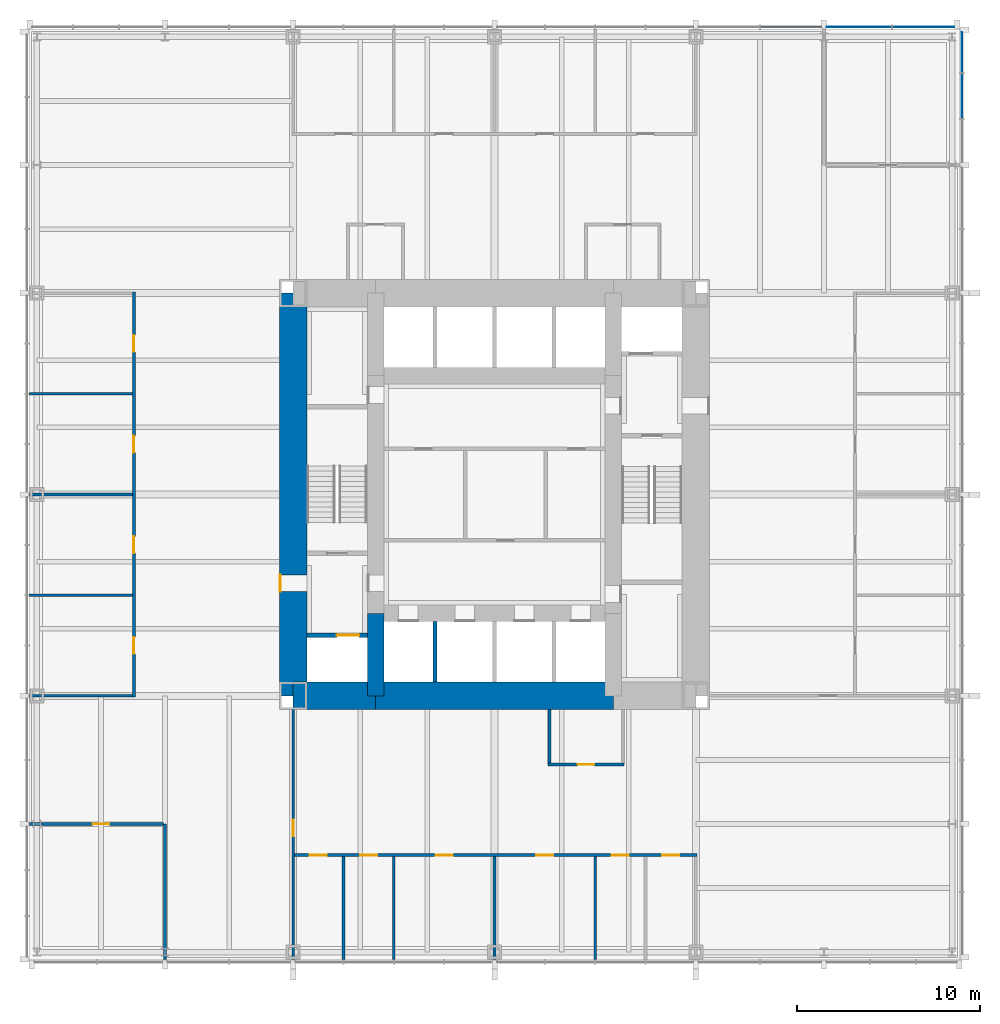
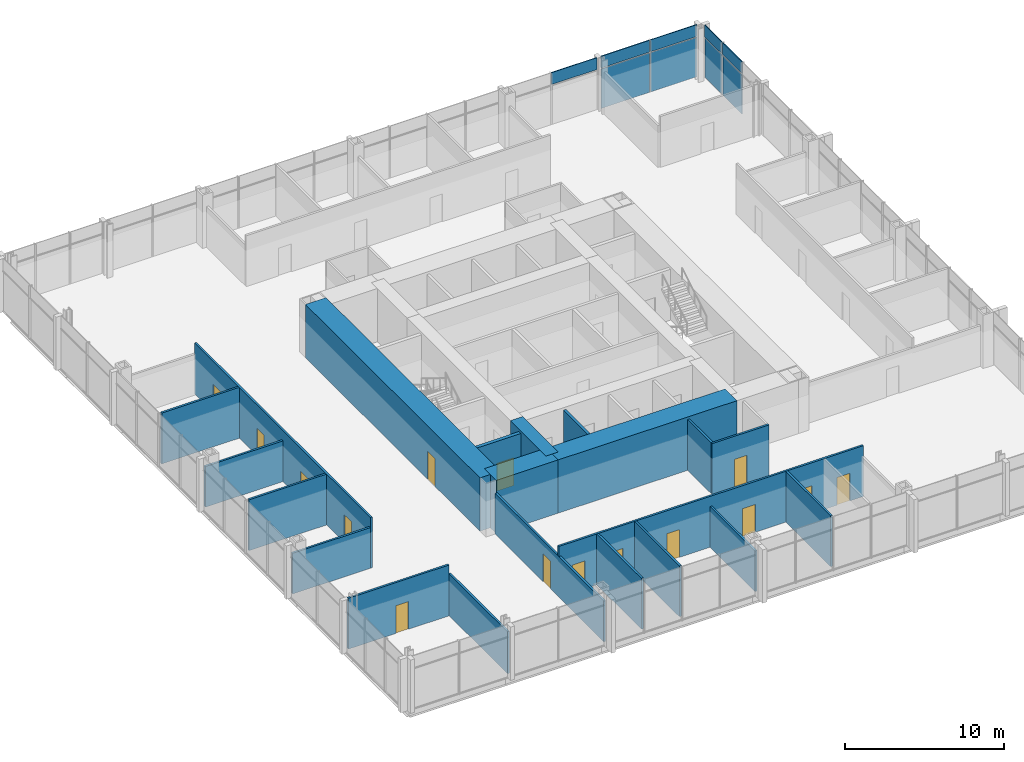
# One storey, part 9 of 12: 21 walls, 15 doors, 9 plates, 15 openings, 2 elements without a shape of their own.
"""IFC4 building model written with IfcOpenShell, lengths in metres."""

from ifc_helpers import new_model, si_unit, direction, frame, frame_2d, origin, origin_2d, place, context, subcontext, project, spatial, rectangle, extrude, material, layer, layer_set, type_object, element, fill, aggregate, save


model = new_model("IFC4")

# Units and contexts
model_context = context("Model", 3, precision=1e-05, world=origin(), true_north=direction((0.0, 1.0)))
body_context = subcontext(model_context, "Body", "Model", "MODEL_VIEW")
ifc_project = project(units=[si_unit("LENGTHUNIT", "METRE"), si_unit("AREAUNIT", "SQUARE_METRE"), si_unit("VOLUMEUNIT", "CUBIC_METRE"), si_unit("PLANEANGLEUNIT", "RADIAN"), si_unit("MASSUNIT", "GRAM", prefix="KILO")], contexts=[model_context])

# Site, building, storey
site_placement = place(None, origin())
site = spatial("IfcSite", under=ifc_project, at=site_placement, CompositionType="ELEMENT")
building_placement = place(site_placement, origin())
building = spatial("IfcBuilding", under=site, at=building_placement, Name="Trevanion Tower", CompositionType="ELEMENT")
storey_placement = place(building_placement, frame((0.0, 0.0, 69.300048828125)))
storey = spatial("IfcBuildingStorey", under=building, at=storey_placement, Name="L16", CompositionType="ELEMENT", Elevation=69.300048828125)

# Curtain wall, plates
ifc_material_1 = material(Name="Aluminium and glass", Category="aluminium")
curtain_wall_type = type_object("IfcCurtainWallType", Name="CW1 curtain wall", PredefinedType="USERDEFINED", material=ifc_material_1)
curtain_wall_1_placement = place(storey_placement, origin())
curtain_wall_1 = element("IfcCurtainWall", 1, at=curtain_wall_1_placement, inside=storey, type_object=curtain_wall_type, Name="CW1 L16 0", ObjectType="UNITISED CURTAIN WALL", PredefinedType="USERDEFINED")
ifc_material_2 = material(Name="Aluminium spandrel panel", Category="aluminium")
ifc_layer_1 = layer(ifc_material_2, 0.06005859375)
ifc_layer_set_1 = layer_set([ifc_layer_1], Name="CW1 spandrel panel")
plate_type_1 = type_object("IfcPlateType", Name="CW1 spandrel panel", PredefinedType="CURTAIN_PANEL", material=ifc_layer_set_1)
plate_1_placement = place(storey_placement, frame((25.550048828125, 21.77490234375, 2.997314453125), z_axis=(0.0, 0.0, 1.0), x_axis=(0.0, 1.0, 0.0)))
plate_1 = element("IfcPlate", 2, at=plate_1_placement, type_object=plate_type_1, Name="CW1 panel 16.2", PredefinedType="CURTAIN_PANEL", context=body_context, shape_type="SweptSolid", body=[
    extrude(rectangle(XDim=2.441650390625, YDim=0.06005859375, at=origin_2d()), origin(), (0.0, 0.0, 1.0), 0.91259765625),
])
plate_2_placement = place(storey_placement, frame((25.550048828125, 24.160400390625, 2.997314453125), z_axis=(0.0, 0.0, 1.0), x_axis=(0.0, 1.0, 0.0)))
plate_2 = element("IfcPlate", 3, at=plate_2_placement, type_object=plate_type_1, Name="CW1 panel 17.2", PredefinedType="CURTAIN_PANEL", context=body_context, shape_type="SweptSolid", body=[
    extrude(rectangle(XDim=2.17919921875, YDim=0.06005859375, at=origin_2d()), origin(), (0.0, 0.0, 1.0), 0.91259765625),
])

curtain_wall_2_placement = place(storey_placement, origin())
curtain_wall_2 = element("IfcCurtainWall", 4, at=curtain_wall_2_placement, inside=storey, type_object=curtain_wall_type, Name="CW1 L16 1", ObjectType="UNITISED CURTAIN WALL", PredefinedType="USERDEFINED")
plate_3_placement = place(storey_placement, frame((23.433837890625, 25.550048828125, 2.997314453125), z_axis=(0.0, 0.0, 1.0), x_axis=(-1.0, 0.0, 0.0)))
plate_3 = element("IfcPlate", 5, at=plate_3_placement, type_object=plate_type_1, Name="CW1 panel 1.2", PredefinedType="CURTAIN_PANEL", context=body_context, shape_type="SweptSolid", body=[
    extrude(rectangle(XDim=3.37255859375, YDim=0.06005859375, at=origin_2d()), origin(), (0.0, 0.0, 1.0), 0.91259765625),
])
plate_4_placement = place(storey_placement, frame((19.911376953125, 25.550048828125, 2.997314453125), z_axis=(0.0, 0.0, 1.0), x_axis=(-1.0, 0.0, 0.0)))
plate_4 = element("IfcPlate", 6, at=plate_4_placement, type_object=plate_type_1, Name="CW1 panel 2.2", PredefinedType="CURTAIN_PANEL", context=body_context, shape_type="SweptSolid", body=[
    extrude(rectangle(XDim=3.5224609375, YDim=0.06005859375, at=origin_2d()), origin(), (0.0, 0.0, 1.0), 0.91259765625),
])
plate_5_placement = place(storey_placement, frame((16.19384765625, 25.550048828125, 2.997314453125), z_axis=(0.0, 0.0, 1.0), x_axis=(-1.0, 0.0, 0.0)))
plate_5 = element("IfcPlate", 7, at=plate_5_placement, type_object=plate_type_1, Name="CW1 panel 3.2", PredefinedType="CURTAIN_PANEL", context=body_context, shape_type="SweptSolid", body=[
    extrude(rectangle(XDim=3.3125, YDim=0.06005859375, at=origin_2d()), origin(), (0.0, 0.0, 1.0), 0.91259765625),
])

# Plate
ifc_material_3 = material(Name="Insulating glass unit", Category="glass")
ifc_layer_2 = layer(ifc_material_3, 0.028076171875)
ifc_layer_set_2 = layer_set([ifc_layer_2], Name="CW1 vision panel")
plate_type_2 = type_object("IfcPlateType", Name="CW1 vision panel", PredefinedType="CURTAIN_PANEL", material=ifc_layer_set_2)
plate_6_placement = place(storey_placement, frame((25.550048828125, 21.77490234375, -0.115234375), z_axis=(0.0, 0.0, 1.0), x_axis=(0.0, 1.0, 0.0)))
plate_6 = element("IfcPlate", 8, at=plate_6_placement, type_object=plate_type_2, Name="CW1 panel 16.1", PredefinedType="CURTAIN_PANEL", context=body_context, shape_type="SweptSolid", body=[
    extrude(rectangle(XDim=2.441650390625, YDim=0.028076171875, at=origin_2d()), origin(), (0.0, 0.0, 1.0), 3.03759765625),
])

plate_7_placement = place(storey_placement, frame((25.550048828125, 24.160400390625, -0.115234375), z_axis=(0.0, 0.0, 1.0), x_axis=(0.0, 1.0, 0.0)))
plate_7 = element("IfcPlate", 9, at=plate_7_placement, type_object=plate_type_2, Name="CW1 panel 17.1", PredefinedType="CURTAIN_PANEL", context=body_context, shape_type="SweptSolid", body=[
    extrude(rectangle(XDim=2.17919921875, YDim=0.028076171875, at=origin_2d()), origin(), (0.0, 0.0, 1.0), 3.03759765625),
])

aggregate(curtain_wall_1, [plate_6, plate_1, plate_7, plate_2])

plate_8_placement = place(storey_placement, frame((23.433837890625, 25.550048828125, -0.115234375), z_axis=(0.0, 0.0, 1.0), x_axis=(-1.0, 0.0, 0.0)))
plate_8 = element("IfcPlate", 10, at=plate_8_placement, type_object=plate_type_2, Name="CW1 panel 1.1", PredefinedType="CURTAIN_PANEL", context=body_context, shape_type="SweptSolid", body=[
    extrude(rectangle(XDim=3.37255859375, YDim=0.028076171875, at=origin_2d()), origin(), (0.0, 0.0, 1.0), 3.03759765625),
])

plate_9_placement = place(storey_placement, frame((19.911376953125, 25.550048828125, -0.115234375), z_axis=(0.0, 0.0, 1.0), x_axis=(-1.0, 0.0, 0.0)))
plate_9 = element("IfcPlate", 11, at=plate_9_placement, type_object=plate_type_2, Name="CW1 panel 2.1", PredefinedType="CURTAIN_PANEL", context=body_context, shape_type="SweptSolid", body=[
    extrude(rectangle(XDim=3.5224609375, YDim=0.028076171875, at=origin_2d()), origin(), (0.0, 0.0, 1.0), 3.03759765625),
])

aggregate(curtain_wall_2, [plate_8, plate_3, plate_9, plate_4, plate_5])

# Wall, opening, door
ifc_material_4 = material(Name="Concrete 10,000 psi", Category="concrete")
ifc_layer_3 = layer(ifc_material_4, 1.5)
ifc_layer_set_3 = layer_set([ifc_layer_3], Name="CW1 core wall 1500")
wall_type_1 = type_object("IfcWallType", Name="CW1 core wall 1500", PredefinedType="SHEAR", material=ifc_layer_set_3)
wall_1_placement = place(storey_placement, frame((-11.0, 11.0, 0.0), z_axis=(0.0, 0.0, 1.0), x_axis=(0.0, -1.0, 0.0)))
wall_1 = element("IfcWall", 12, at=wall_1_placement, inside=storey, type_object=wall_type_1, Name="CW1 CW L16", PredefinedType="SHEAR", context=body_context, shape_type="SweptSolid", body=[
    extrude(rectangle(XDim=22.0, YDim=1.5, at=frame_2d((11.0, 0.0))), origin(), (0.0, 0.0, 1.0), 4.099853515625),
])
opening_1_placement = place(wall_1_placement, frame((15.392578125, 0.0, 0.0)))
opening_1 = element("IfcOpeningElement", 13, at=opening_1_placement, cuts=wall_1, Name="Opening 16-002", PredefinedType="OPENING", context=body_context, shape_type="SweptSolid", body=[
    extrude(rectangle(XDim=0.9150390625, YDim=2.134033203125, at=frame_2d((0.45751953125, 1.06689453125))), frame((0.0, 0.760009765625, 0.0), z_axis=(0.0, -1.0, 0.0), x_axis=(1.0, 0.0, 0.0)), (0.0, 0.0, 1.0), 1.52001953125),
])
ifc_material_5 = material(Name="Hollow metal, fire rated", Category="steel")
door_type_1 = type_object("IfcDoorType", Name="D3 fire lift lobby door", OperationType="SINGLE_SWING_RIGHT", PredefinedType="DOOR", material=ifc_material_5)
door_1_placement = place(opening_1_placement, origin())
door_1 = element("IfcDoor", 14, at=door_1_placement, inside=storey, type_object=door_type_1, Name="Door 16-002", OperationType="SINGLE_SWING_RIGHT", OverallHeight=2.134033203125, OverallWidth=0.9150390625, PredefinedType="DOOR", context=body_context, shape_type="SweptSolid", body=[
    extrude(rectangle(XDim=0.9150390625, YDim=2.134033203125, at=frame_2d((0.45751953125, 1.06689453125))), frame((0.0, -0.6748046875, 0.0), z_axis=(0.0, -1.0, 0.0), x_axis=(1.0, 0.0, 0.0)), (0.0, 0.0, 1.0), 0.050048828125),
])
fill(opening_1, door_1)

# Walls
wall_2_placement = place(storey_placement, frame((-11.0, -11.0, 0.0), z_axis=(0.0, 0.0, 1.0), x_axis=(1.0, 0.0, 0.0)))
element("IfcWall", 15, at=wall_2_placement, inside=storey, type_object=wall_type_1, Name="CW1 CS1 L16", PredefinedType="SHEAR", context=body_context, shape_type="SweptSolid", body=[
    extrude(rectangle(XDim=4.5, YDim=1.5, at=frame_2d((2.25, 0.0))), origin(), (0.0, 0.0, 1.0), 4.099853515625),
])
wall_3_placement = place(storey_placement, frame((-6.5, -11.0, 0.0), z_axis=(0.0, 0.0, 1.0), x_axis=(1.0, 0.0, 0.0)))
element("IfcWall", 16, at=wall_3_placement, inside=storey, type_object=wall_type_1, Name="CW1 CS2 L16", PredefinedType="SHEAR", context=body_context, shape_type="SweptSolid", body=[
    extrude(rectangle(XDim=13.0, YDim=1.5, at=frame_2d((6.5, 0.0))), origin(), (0.0, 0.0, 1.0), 4.099853515625),
])
ifc_material_6 = material(Name="Concrete 10,000 psi", Category="concrete")
ifc_layer_4 = layer(ifc_material_6, 0.89990234375)
ifc_layer_set_4 = layer_set([ifc_layer_4], Name="CW2 core wall 900")
wall_type_2 = type_object("IfcWallType", Name="CW2 core wall 900", PredefinedType="SHEAR", material=ifc_layer_set_4)
wall_4_placement = place(storey_placement, frame((-6.5, -6.5, 0.0), z_axis=(0.0, 0.0, 1.0), x_axis=(0.0, -1.0, 0.0)))
element("IfcWall", 17, at=wall_4_placement, inside=storey, type_object=wall_type_2, Name="CW2 RW3 L16", PredefinedType="SHEAR", context=body_context, shape_type="SweptSolid", body=[
    extrude(rectangle(XDim=4.5, YDim=0.89990234375, at=frame_2d((2.25, 0.0))), origin(), (0.0, 0.0, 1.0), 4.099853515625),
])

# Wall, opening, door
ifc_material_7 = material(Name="Gypsum board on steel studs", Category="steel")
ifc_layer_5 = layer(ifc_material_7, 0.14990234375)
ifc_layer_set_5 = layer_set([ifc_layer_5], Name="PT1 partition 150")
wall_type_3 = type_object("IfcWallType", Name="PT1 partition 150", PredefinedType="PARTITIONING", material=ifc_layer_set_5)
wall_5_placement = place(storey_placement, frame((-11.0, -11.75, 0.0), z_axis=(0.0, 0.0, 1.0), x_axis=(0.0, -1.0, 0.0)))
wall_5 = element("IfcWall", 18, at=wall_5_placement, inside=storey, type_object=wall_type_3, Name="PT1 L16 ZW2", PredefinedType="PARTITIONING", context=body_context, shape_type="SweptSolid", body=[
    extrude(rectangle(XDim=13.6650390625, YDim=0.14990234375, at=frame_2d((6.83251953125, 0.0))), origin(), (0.0, 0.0, 1.0), 3.130126953125),
])
opening_2_placement = place(wall_5_placement, frame((6.017578125, 0.0, 0.0)))
opening_2 = element("IfcOpeningElement", 19, at=opening_2_placement, cuts=wall_5, Name="Opening 16-018", PredefinedType="OPENING", context=body_context, shape_type="SweptSolid", body=[
    extrude(rectangle(XDim=0.9150390625, YDim=2.134033203125, at=frame_2d((0.45751953125, 1.06689453125))), frame((0.0, 0.0849609375, 0.0), z_axis=(0.0, -1.0, 0.0), x_axis=(1.0, 0.0, 0.0)), (0.0, 0.0, 1.0), 0.169921875),
])
ifc_material_8 = material(Name="Timber veneer, solid core", Category="wood")
door_type_2 = type_object("IfcDoorType", Name="D1 office and meeting room door", OperationType="SINGLE_SWING_LEFT", PredefinedType="DOOR", material=ifc_material_8)
door_2_placement = place(opening_2_placement, origin())
door_2 = element("IfcDoor", 20, at=door_2_placement, inside=storey, type_object=door_type_2, Name="Door 16-018", OperationType="SINGLE_SWING_LEFT", OverallHeight=2.134033203125, OverallWidth=0.9150390625, PredefinedType="DOOR", context=body_context, shape_type="SweptSolid", body=[
    extrude(rectangle(XDim=0.9150390625, YDim=2.134033203125, at=frame_2d((0.45751953125, 1.06689453125))), frame((0.0, 0.02490234375, 0.0), z_axis=(0.0, -1.0, 0.0), x_axis=(1.0, 0.0, 0.0)), (0.0, 0.0, 1.0), 0.050048828125),
])
fill(opening_2, door_2)

# Wall
wall_6_placement = place(storey_placement, frame((-18.0, -18.0, 0.0), z_axis=(0.0, 0.0, 1.0), x_axis=(0.0, -1.0, 0.0)))
element("IfcWall", 21, at=wall_6_placement, inside=storey, type_object=wall_type_3, Name="PT1 L16 KW2a", PredefinedType="PARTITIONING", context=body_context, shape_type="SweptSolid", body=[
    extrude(rectangle(XDim=7.4150390625, YDim=0.14990234375, at=frame_2d((3.70751953125, 0.0))), origin(), (0.0, 0.0, 1.0), 3.216552734375),
])

# Wall, opening, door
wall_7_placement = place(storey_placement, frame((-18.074951171875, -18.0, 0.0), z_axis=(0.0, 0.0, 1.0), x_axis=(-1.0, 0.0, 0.0)))
wall_7 = element("IfcWall", 22, at=wall_7_placement, inside=storey, type_object=wall_type_3, Name="PT1 L16 KW2b", PredefinedType="PARTITIONING", context=body_context, shape_type="SweptSolid", body=[
    extrude(rectangle(XDim=7.340087890625, YDim=0.14990234375, at=frame_2d((3.669921875, 0.0))), origin(), (0.0, 0.0, 1.0), 3.909912109375),
])
opening_3_placement = place(wall_7_placement, frame((2.967529296875, 0.0, 0.0)))
opening_3 = element("IfcOpeningElement", 23, at=opening_3_placement, cuts=wall_7, Name="Opening 16-021", PredefinedType="OPENING", context=body_context, shape_type="SweptSolid", body=[
    extrude(rectangle(XDim=0.9150390625, YDim=2.134033203125, at=frame_2d((0.45751953125, 1.06689453125))), frame((0.0, 0.0849609375, 0.0), z_axis=(0.0, -1.0, 0.0), x_axis=(1.0, 0.0, 0.0)), (0.0, 0.0, 1.0), 0.169921875),
])
door_3_placement = place(opening_3_placement, origin())
door_3 = element("IfcDoor", 24, at=door_3_placement, inside=storey, type_object=door_type_2, Name="Door 16-021", OperationType="SINGLE_SWING_LEFT", OverallHeight=2.134033203125, OverallWidth=0.9150390625, PredefinedType="DOOR", context=body_context, shape_type="SweptSolid", body=[
    extrude(rectangle(XDim=0.9150390625, YDim=2.134033203125, at=frame_2d((0.45751953125, 1.06689453125))), frame((0.0, 0.02490234375, 0.0), z_axis=(0.0, -1.0, 0.0), x_axis=(1.0, 0.0, 0.0)), (0.0, 0.0, 1.0), 0.050048828125),
])
fill(opening_3, door_3)

# Wall, openings, doors
wall_8_placement = place(storey_placement, frame((-11.074951171875, -19.699951171875, 0.0), z_axis=(0.0, 0.0, 1.0), x_axis=(1.0, 0.0, 0.0)))
wall_8 = element("IfcWall", 25, at=wall_8_placement, inside=storey, type_object=wall_type_3, Name="PT1 L16 FC3F", PredefinedType="PARTITIONING", context=body_context, shape_type="SweptSolid", body=[
    extrude(rectangle(XDim=22.14990234375, YDim=0.14990234375, at=frame_2d((11.074951171875, 0.0))), origin(), (0.0, 0.0, 1.0), 3.909912109375),
])
opening_4_placement = place(wall_8_placement, frame((0.992431640625, 0.0, 0.0)))
opening_4 = element("IfcOpeningElement", 26, at=opening_4_placement, cuts=wall_8, Name="Opening 16-026", PredefinedType="OPENING", context=body_context, shape_type="SweptSolid", body=[
    extrude(rectangle(XDim=0.9150390625, YDim=2.134033203125, at=frame_2d((0.45751953125, 1.06689453125))), frame((0.0, 0.0849609375, 0.0), z_axis=(0.0, -1.0, 0.0), x_axis=(1.0, 0.0, 0.0)), (0.0, 0.0, 1.0), 0.169921875),
])
opening_5_placement = place(wall_8_placement, frame((3.742431640625, 0.0, 0.0)))
opening_5 = element("IfcOpeningElement", 27, at=opening_5_placement, cuts=wall_8, Name="Opening 16-027", PredefinedType="OPENING", context=body_context, shape_type="SweptSolid", body=[
    extrude(rectangle(XDim=0.9150390625, YDim=2.134033203125, at=frame_2d((0.45751953125, 1.06689453125))), frame((0.0, 0.0849609375, 0.0), z_axis=(0.0, -1.0, 0.0), x_axis=(1.0, 0.0, 0.0)), (0.0, 0.0, 1.0), 0.169921875),
])
opening_6_placement = place(wall_8_placement, frame((7.867431640625, 0.0, 0.0)))
opening_6 = element("IfcOpeningElement", 28, at=opening_6_placement, cuts=wall_8, Name="Opening 16-028", PredefinedType="OPENING", context=body_context, shape_type="SweptSolid", body=[
    extrude(rectangle(XDim=0.9150390625, YDim=2.134033203125, at=frame_2d((0.45751953125, 1.06689453125))), frame((0.0, 0.0849609375, 0.0), z_axis=(0.0, -1.0, 0.0), x_axis=(1.0, 0.0, 0.0)), (0.0, 0.0, 1.0), 0.169921875),
])
opening_7_placement = place(wall_8_placement, frame((13.367431640625, 0.0, 0.0)))
opening_7 = element("IfcOpeningElement", 29, at=opening_7_placement, cuts=wall_8, Name="Opening 16-029", PredefinedType="OPENING", context=body_context, shape_type="SweptSolid", body=[
    extrude(rectangle(XDim=0.9150390625, YDim=2.134033203125, at=frame_2d((0.45751953125, 1.06689453125))), frame((0.0, 0.0849609375, 0.0), z_axis=(0.0, -1.0, 0.0), x_axis=(1.0, 0.0, 0.0)), (0.0, 0.0, 1.0), 0.169921875),
])
opening_8_placement = place(wall_8_placement, frame((17.492431640625, 0.0, 0.0)))
opening_8 = element("IfcOpeningElement", 30, at=opening_8_placement, cuts=wall_8, Name="Opening 16-030", PredefinedType="OPENING", context=body_context, shape_type="SweptSolid", body=[
    extrude(rectangle(XDim=0.9150390625, YDim=2.134033203125, at=frame_2d((0.45751953125, 1.06689453125))), frame((0.0, 0.0849609375, 0.0), z_axis=(0.0, -1.0, 0.0), x_axis=(1.0, 0.0, 0.0)), (0.0, 0.0, 1.0), 0.169921875),
])
opening_9_placement = place(wall_8_placement, frame((20.242431640625, 0.0, 0.0)))
opening_9 = element("IfcOpeningElement", 31, at=opening_9_placement, cuts=wall_8, Name="Opening 16-031", PredefinedType="OPENING", context=body_context, shape_type="SweptSolid", body=[
    extrude(rectangle(XDim=0.9150390625, YDim=2.134033203125, at=frame_2d((0.45751953125, 1.06689453125))), frame((0.0, 0.0849609375, 0.0), z_axis=(0.0, -1.0, 0.0), x_axis=(1.0, 0.0, 0.0)), (0.0, 0.0, 1.0), 0.169921875),
])
door_4_placement = place(opening_4_placement, origin())
door_4 = element("IfcDoor", 32, at=door_4_placement, inside=storey, type_object=door_type_2, Name="Door 16-026", OperationType="SINGLE_SWING_LEFT", OverallHeight=2.134033203125, OverallWidth=0.9150390625, PredefinedType="DOOR", context=body_context, shape_type="SweptSolid", body=[
    extrude(rectangle(XDim=0.9150390625, YDim=2.134033203125, at=frame_2d((0.45751953125, 1.06689453125))), frame((0.0, 0.02490234375, 0.0), z_axis=(0.0, -1.0, 0.0), x_axis=(1.0, 0.0, 0.0)), (0.0, 0.0, 1.0), 0.050048828125),
])
fill(opening_4, door_4)
door_5_placement = place(opening_5_placement, origin())
door_5 = element("IfcDoor", 33, at=door_5_placement, inside=storey, type_object=door_type_2, Name="Door 16-027", OperationType="SINGLE_SWING_LEFT", OverallHeight=2.134033203125, OverallWidth=0.9150390625, PredefinedType="DOOR", context=body_context, shape_type="SweptSolid", body=[
    extrude(rectangle(XDim=0.9150390625, YDim=2.134033203125, at=frame_2d((0.45751953125, 1.06689453125))), frame((0.0, 0.02490234375, 0.0), z_axis=(0.0, -1.0, 0.0), x_axis=(1.0, 0.0, 0.0)), (0.0, 0.0, 1.0), 0.050048828125),
])
fill(opening_5, door_5)
door_6_placement = place(opening_6_placement, origin())
door_6 = element("IfcDoor", 34, at=door_6_placement, inside=storey, type_object=door_type_2, Name="Door 16-028", OperationType="SINGLE_SWING_LEFT", OverallHeight=2.134033203125, OverallWidth=0.9150390625, PredefinedType="DOOR", context=body_context, shape_type="SweptSolid", body=[
    extrude(rectangle(XDim=0.9150390625, YDim=2.134033203125, at=frame_2d((0.45751953125, 1.06689453125))), frame((0.0, 0.02490234375, 0.0), z_axis=(0.0, -1.0, 0.0), x_axis=(1.0, 0.0, 0.0)), (0.0, 0.0, 1.0), 0.050048828125),
])
fill(opening_6, door_6)
door_7_placement = place(opening_7_placement, origin())
door_7 = element("IfcDoor", 35, at=door_7_placement, inside=storey, type_object=door_type_2, Name="Door 16-029", OperationType="SINGLE_SWING_LEFT", OverallHeight=2.134033203125, OverallWidth=0.9150390625, PredefinedType="DOOR", context=body_context, shape_type="SweptSolid", body=[
    extrude(rectangle(XDim=0.9150390625, YDim=2.134033203125, at=frame_2d((0.45751953125, 1.06689453125))), frame((0.0, 0.02490234375, 0.0), z_axis=(0.0, -1.0, 0.0), x_axis=(1.0, 0.0, 0.0)), (0.0, 0.0, 1.0), 0.050048828125),
])
fill(opening_7, door_7)
door_8_placement = place(opening_8_placement, origin())
door_8 = element("IfcDoor", 36, at=door_8_placement, inside=storey, type_object=door_type_2, Name="Door 16-030", OperationType="SINGLE_SWING_LEFT", OverallHeight=2.134033203125, OverallWidth=0.9150390625, PredefinedType="DOOR", context=body_context, shape_type="SweptSolid", body=[
    extrude(rectangle(XDim=0.9150390625, YDim=2.134033203125, at=frame_2d((0.45751953125, 1.06689453125))), frame((0.0, 0.02490234375, 0.0), z_axis=(0.0, -1.0, 0.0), x_axis=(1.0, 0.0, 0.0)), (0.0, 0.0, 1.0), 0.050048828125),
])
fill(opening_8, door_8)
door_9_placement = place(opening_9_placement, origin())
door_9 = element("IfcDoor", 37, at=door_9_placement, inside=storey, type_object=door_type_2, Name="Door 16-031", OperationType="SINGLE_SWING_LEFT", OverallHeight=2.134033203125, OverallWidth=0.9150390625, PredefinedType="DOOR", context=body_context, shape_type="SweptSolid", body=[
    extrude(rectangle(XDim=0.9150390625, YDim=2.134033203125, at=frame_2d((0.45751953125, 1.06689453125))), frame((0.0, 0.02490234375, 0.0), z_axis=(0.0, -1.0, 0.0), x_axis=(1.0, 0.0, 0.0)), (0.0, 0.0, 1.0), 0.050048828125),
])
fill(opening_9, door_9)

# Walls
for number, where, z_axis, x_axis, name in (
    (38, (-8.25, -19.77490234375, 0.0), (0.0, 0.0, 1.0), (0.0, -1.0, 0.0), "PT1 L16 FC3S1"),
    (39, (-5.5, -19.77490234375, 0.0), (0.0, 0.0, 1.0), (0.0, -1.0, 0.0), "PT1 L16 FC3S2"),
):
    element("IfcWall", number, at=place(storey_placement, frame(where, z_axis=z_axis, x_axis=x_axis)), inside=storey, type_object=wall_type_3, Name=name, PredefinedType="PARTITIONING", context=body_context, shape_type="SweptSolid", body=[
        extrude(rectangle(XDim=5.64013671875, YDim=0.14990234375, at=frame_2d((2.820068359375, 0.0))), origin(), (0.0, 0.0, 1.0), 3.909912109375),
    ])
wall_9_placement = place(storey_placement, frame((0.0, -19.77490234375, 0.0), z_axis=(0.0, 0.0, 1.0), x_axis=(0.0, -1.0, 0.0)))
element("IfcWall", 40, at=wall_9_placement, inside=storey, type_object=wall_type_3, Name="PT1 L16 FC3S4", PredefinedType="PARTITIONING", context=body_context, shape_type="SweptSolid", body=[
    extrude(rectangle(XDim=5.64013671875, YDim=0.14990234375, at=frame_2d((2.820068359375, 0.0))), origin(), (0.0, 0.0, 1.0), 3.130126953125),
])
wall_10_placement = place(storey_placement, frame((5.5, -19.77490234375, 0.0), z_axis=(0.0, 0.0, 1.0), x_axis=(0.0, -1.0, 0.0)))
element("IfcWall", 41, at=wall_10_placement, inside=storey, type_object=wall_type_3, Name="PT1 L16 FC3S6", PredefinedType="PARTITIONING", context=body_context, shape_type="SweptSolid", body=[
    extrude(rectangle(XDim=5.64013671875, YDim=0.14990234375, at=frame_2d((2.820068359375, 0.0))), origin(), (0.0, 0.0, 1.0), 3.909912109375),
])

# Wall, openings, doors
wall_11_placement = place(storey_placement, frame((-19.699951171875, 11.074951171875, 0.0), z_axis=(0.0, 0.0, 1.0), x_axis=(0.0, -1.0, 0.0)))
wall_11 = element("IfcWall", 42, at=wall_11_placement, inside=storey, type_object=wall_type_3, Name="PT1 L16 FC2F", PredefinedType="PARTITIONING", context=body_context, shape_type="SweptSolid", body=[
    extrude(rectangle(XDim=22.14990234375, YDim=0.14990234375, at=frame_2d((11.074951171875, 0.0))), origin(), (0.0, 0.0, 1.0), 3.909912109375),
])
opening_10_placement = place(wall_11_placement, frame((2.367431640625, 0.0, 0.0)))
opening_10 = element("IfcOpeningElement", 43, at=opening_10_placement, cuts=wall_11, Name="Opening 16-036", PredefinedType="OPENING", context=body_context, shape_type="SweptSolid", body=[
    extrude(rectangle(XDim=0.9150390625, YDim=2.134033203125, at=frame_2d((0.45751953125, 1.06689453125))), frame((0.0, 0.0849609375, 0.0), z_axis=(0.0, -1.0, 0.0), x_axis=(1.0, 0.0, 0.0)), (0.0, 0.0, 1.0), 0.169921875),
])
opening_11_placement = place(wall_11_placement, frame((7.867431640625, 0.0, 0.0)))
opening_11 = element("IfcOpeningElement", 44, at=opening_11_placement, cuts=wall_11, Name="Opening 16-037", PredefinedType="OPENING", context=body_context, shape_type="SweptSolid", body=[
    extrude(rectangle(XDim=0.9150390625, YDim=2.134033203125, at=frame_2d((0.45751953125, 1.06689453125))), frame((0.0, 0.0849609375, 0.0), z_axis=(0.0, -1.0, 0.0), x_axis=(1.0, 0.0, 0.0)), (0.0, 0.0, 1.0), 0.169921875),
])
opening_12_placement = place(wall_11_placement, frame((13.367431640625, 0.0, 0.0)))
opening_12 = element("IfcOpeningElement", 45, at=opening_12_placement, cuts=wall_11, Name="Opening 16-038", PredefinedType="OPENING", context=body_context, shape_type="SweptSolid", body=[
    extrude(rectangle(XDim=0.9150390625, YDim=2.134033203125, at=frame_2d((0.45751953125, 1.06689453125))), frame((0.0, 0.0849609375, 0.0), z_axis=(0.0, -1.0, 0.0), x_axis=(1.0, 0.0, 0.0)), (0.0, 0.0, 1.0), 0.169921875),
])
opening_13_placement = place(wall_11_placement, frame((18.867431640625, 0.0, 0.0)))
opening_13 = element("IfcOpeningElement", 46, at=opening_13_placement, cuts=wall_11, Name="Opening 16-039", PredefinedType="OPENING", context=body_context, shape_type="SweptSolid", body=[
    extrude(rectangle(XDim=0.9150390625, YDim=2.134033203125, at=frame_2d((0.45751953125, 1.06689453125))), frame((0.0, 0.0849609375, 0.0), z_axis=(0.0, -1.0, 0.0), x_axis=(1.0, 0.0, 0.0)), (0.0, 0.0, 1.0), 0.169921875),
])
door_10_placement = place(opening_10_placement, origin())
door_10 = element("IfcDoor", 47, at=door_10_placement, inside=storey, type_object=door_type_2, Name="Door 16-036", OperationType="SINGLE_SWING_LEFT", OverallHeight=2.134033203125, OverallWidth=0.9150390625, PredefinedType="DOOR", context=body_context, shape_type="SweptSolid", body=[
    extrude(rectangle(XDim=0.9150390625, YDim=2.134033203125, at=frame_2d((0.45751953125, 1.06689453125))), frame((0.0, 0.02490234375, 0.0), z_axis=(0.0, -1.0, 0.0), x_axis=(1.0, 0.0, 0.0)), (0.0, 0.0, 1.0), 0.050048828125),
])
fill(opening_10, door_10)
door_11_placement = place(opening_11_placement, origin())
door_11 = element("IfcDoor", 48, at=door_11_placement, inside=storey, type_object=door_type_2, Name="Door 16-037", OperationType="SINGLE_SWING_LEFT", OverallHeight=2.134033203125, OverallWidth=0.9150390625, PredefinedType="DOOR", context=body_context, shape_type="SweptSolid", body=[
    extrude(rectangle(XDim=0.9150390625, YDim=2.134033203125, at=frame_2d((0.45751953125, 1.06689453125))), frame((0.0, 0.02490234375, 0.0), z_axis=(0.0, -1.0, 0.0), x_axis=(1.0, 0.0, 0.0)), (0.0, 0.0, 1.0), 0.050048828125),
])
fill(opening_11, door_11)
door_12_placement = place(opening_12_placement, origin())
door_12 = element("IfcDoor", 49, at=door_12_placement, inside=storey, type_object=door_type_2, Name="Door 16-038", OperationType="SINGLE_SWING_LEFT", OverallHeight=2.134033203125, OverallWidth=0.9150390625, PredefinedType="DOOR", context=body_context, shape_type="SweptSolid", body=[
    extrude(rectangle(XDim=0.9150390625, YDim=2.134033203125, at=frame_2d((0.45751953125, 1.06689453125))), frame((0.0, 0.02490234375, 0.0), z_axis=(0.0, -1.0, 0.0), x_axis=(1.0, 0.0, 0.0)), (0.0, 0.0, 1.0), 0.050048828125),
])
fill(opening_12, door_12)
door_13_placement = place(opening_13_placement, origin())
door_13 = element("IfcDoor", 50, at=door_13_placement, inside=storey, type_object=door_type_2, Name="Door 16-039", OperationType="SINGLE_SWING_LEFT", OverallHeight=2.134033203125, OverallWidth=0.9150390625, PredefinedType="DOOR", context=body_context, shape_type="SweptSolid", body=[
    extrude(rectangle(XDim=0.9150390625, YDim=2.134033203125, at=frame_2d((0.45751953125, 1.06689453125))), frame((0.0, 0.02490234375, 0.0), z_axis=(0.0, -1.0, 0.0), x_axis=(1.0, 0.0, 0.0)), (0.0, 0.0, 1.0), 0.050048828125),
])
fill(opening_13, door_13)

# Walls
wall_12_placement = place(storey_placement, frame((-19.77490234375, 5.5, 0.0), z_axis=(0.0, 0.0, 1.0), x_axis=(-1.0, 0.0, 0.0)))
element("IfcWall", 51, at=wall_12_placement, inside=storey, type_object=wall_type_3, Name="PT1 L16 FC2S2", PredefinedType="PARTITIONING", context=body_context, shape_type="SweptSolid", body=[
    extrude(rectangle(XDim=5.64013671875, YDim=0.14990234375, at=frame_2d((2.820068359375, 0.0))), origin(), (0.0, 0.0, 1.0), 3.909912109375),
])
wall_13_placement = place(storey_placement, frame((-19.77490234375, 0.0, 0.0), z_axis=(0.0, 0.0, 1.0), x_axis=(-1.0, 0.0, 0.0)))
element("IfcWall", 52, at=wall_13_placement, inside=storey, type_object=wall_type_3, Name="PT1 L16 FC2S4", PredefinedType="PARTITIONING", context=body_context, shape_type="SweptSolid", body=[
    extrude(rectangle(XDim=5.64013671875, YDim=0.14990234375, at=frame_2d((2.820068359375, 0.0))), origin(), (0.0, 0.0, 1.0), 3.130126953125),
])
wall_14_placement = place(storey_placement, frame((-19.77490234375, -5.5, 0.0), z_axis=(0.0, 0.0, 1.0), x_axis=(-1.0, 0.0, 0.0)))
element("IfcWall", 53, at=wall_14_placement, inside=storey, type_object=wall_type_3, Name="PT1 L16 FC2S6", PredefinedType="PARTITIONING", context=body_context, shape_type="SweptSolid", body=[
    extrude(rectangle(XDim=5.64013671875, YDim=0.14990234375, at=frame_2d((2.820068359375, 0.0))), origin(), (0.0, 0.0, 1.0), 3.909912109375),
])
wall_15_placement = place(storey_placement, frame((-19.77490234375, -11.0, 0.0), z_axis=(0.0, 0.0, 1.0), x_axis=(-1.0, 0.0, 0.0)))
element("IfcWall", 54, at=wall_15_placement, inside=storey, type_object=wall_type_3, Name="PT1 L16 FC2S8", PredefinedType="PARTITIONING", context=body_context, shape_type="SweptSolid", body=[
    extrude(rectangle(XDim=5.64013671875, YDim=0.14990234375, at=frame_2d((2.820068359375, 0.0))), origin(), (0.0, 0.0, 1.0), 3.130126953125),
])

# Wall, opening, door
wall_16_placement = place(storey_placement, frame((2.925048828125, -14.75, 0.0), z_axis=(0.0, 0.0, 1.0), x_axis=(1.0, 0.0, 0.0)))
wall_16 = element("IfcWall", 55, at=wall_16_placement, inside=storey, type_object=wall_type_3, Name="PT1 L16 IN30F", PredefinedType="PARTITIONING", context=body_context, shape_type="SweptSolid", body=[
    extrude(rectangle(XDim=4.14990234375, YDim=0.14990234375, at=frame_2d((2.074951171875, 0.0))), origin(), (0.0, 0.0, 1.0), 3.909912109375),
])
opening_14_placement = place(wall_16_placement, frame((1.617431640625, 0.0, 0.0)))
opening_14 = element("IfcOpeningElement", 56, at=opening_14_placement, cuts=wall_16, Name="Opening 16-042", PredefinedType="OPENING", context=body_context, shape_type="SweptSolid", body=[
    extrude(rectangle(XDim=0.9150390625, YDim=2.134033203125, at=frame_2d((0.45751953125, 1.06689453125))), frame((0.0, 0.0849609375, 0.0), z_axis=(0.0, -1.0, 0.0), x_axis=(1.0, 0.0, 0.0)), (0.0, 0.0, 1.0), 0.169921875),
])
door_14_placement = place(opening_14_placement, origin())
door_14 = element("IfcDoor", 57, at=door_14_placement, inside=storey, type_object=door_type_2, Name="Door 16-042", OperationType="SINGLE_SWING_LEFT", OverallHeight=2.134033203125, OverallWidth=0.9150390625, PredefinedType="DOOR", context=body_context, shape_type="SweptSolid", body=[
    extrude(rectangle(XDim=0.9150390625, YDim=2.134033203125, at=frame_2d((0.45751953125, 1.06689453125))), frame((0.0, 0.02490234375, 0.0), z_axis=(0.0, -1.0, 0.0), x_axis=(1.0, 0.0, 0.0)), (0.0, 0.0, 1.0), 0.050048828125),
])
fill(opening_14, door_14)

# Walls
wall_17_placement = place(storey_placement, frame((3.0, -14.675048828125, 0.0), z_axis=(0.0, 0.0, 1.0), x_axis=(0.0, 1.0, 0.0)))
element("IfcWall", 58, at=wall_17_placement, inside=storey, type_object=wall_type_3, Name="PT1 L16 IN30S0", PredefinedType="PARTITIONING", context=body_context, shape_type="SweptSolid", body=[
    extrude(rectangle(XDim=2.925048828125, YDim=0.14990234375, at=frame_2d((1.46240234375, 0.0))), origin(), (0.0, 0.0, 1.0), 3.909912109375),
])
ifc_material_9 = material(Name="Concrete masonry, grouted", Category="masonry")
ifc_layer_6 = layer(ifc_material_9, 0.199951171875)
ifc_layer_set_6 = layer_set([ifc_layer_6], Name="PT2 partition 200 2 HR")
wall_type_4 = type_object("IfcWallType", Name="PT2 partition 200 2 HR", PredefinedType="PARTITIONING", material=ifc_layer_set_6)
wall_18_placement = place(storey_placement, frame((-3.25, -10.25, 0.0), z_axis=(0.0, 0.0, 1.0), x_axis=(0.0, 1.0, 0.0)))
element("IfcWall", 59, at=wall_18_placement, inside=storey, type_object=wall_type_4, Name="PT2 L16 SS0", PredefinedType="PARTITIONING", context=body_context, shape_type="SweptSolid", body=[
    extrude(rectangle(XDim=3.300048828125, YDim=0.199951171875, at=frame_2d((1.64990234375, 0.0))), origin(), (0.0, 0.0, 1.0), 3.909912109375),
])

# Wall, opening, door
ifc_material_10 = material(Name="Concrete masonry, grouted, two-hour", Category="masonry")
ifc_layer_7 = layer(ifc_material_10, 0.25)
ifc_layer_set_7 = layer_set([ifc_layer_7], Name="PT3 partition 250 2 HR")
wall_type_5 = type_object("IfcWallType", Name="PT3 partition 250 2 HR", PredefinedType="PARTITIONING", material=ifc_layer_set_7)
wall_19_placement = place(storey_placement, frame((-6.949951171875, -7.699951171875, 0.0), z_axis=(0.0, 0.0, 1.0), x_axis=(-1.0, 0.0, 0.0)))
wall_19 = element("IfcWall", 60, at=wall_19_placement, inside=storey, type_object=wall_type_5, Name="PT3 L16 WP3", PredefinedType="PARTITIONING", context=body_context, shape_type="SweptSolid", body=[
    extrude(rectangle(XDim=3.300048828125, YDim=0.25, at=frame_2d((1.64990234375, 0.0))), origin(), (0.0, 0.0, 1.0), 3.909912109375),
])
opening_15_placement = place(wall_19_placement, frame((0.449951171875, 0.0, 0.0)))
opening_15 = element("IfcOpeningElement", 61, at=opening_15_placement, cuts=wall_19, Name="Opening 16-008", PredefinedType="OPENING", context=body_context, shape_type="SweptSolid", body=[
    extrude(rectangle(XDim=1.218994140625, YDim=2.134033203125, at=frame_2d((0.609375, 1.06689453125))), frame((0.0, 0.135009765625, 0.0), z_axis=(0.0, -1.0, 0.0), x_axis=(1.0, 0.0, 0.0)), (0.0, 0.0, 1.0), 0.27001953125),
])
ifc_material_11 = material(Name="Stainless steel, fire rated", Category="steel")
door_type_3 = type_object("IfcDoorType", Name="LD2 fire service lift landing door", OperationType="SLIDING_TO_LEFT", PredefinedType="DOOR", material=ifc_material_11)
door_15_placement = place(opening_15_placement, origin())
door_15 = element("IfcDoor", 62, at=door_15_placement, inside=storey, type_object=door_type_3, Name="Door 16-008", OperationType="SLIDING_TO_LEFT", OverallHeight=2.134033203125, OverallWidth=1.218994140625, PredefinedType="DOOR", context=body_context, shape_type="SweptSolid", body=[
    extrude(rectangle(XDim=1.218994140625, YDim=2.134033203125, at=frame_2d((0.609375, 1.06689453125))), frame((0.0, 0.02490234375, 0.0), z_axis=(0.0, -1.0, 0.0), x_axis=(1.0, 0.0, 0.0)), (0.0, 0.0, 1.0), 0.050048828125),
])
fill(opening_15, door_15)

save(model, "model.ifc")
